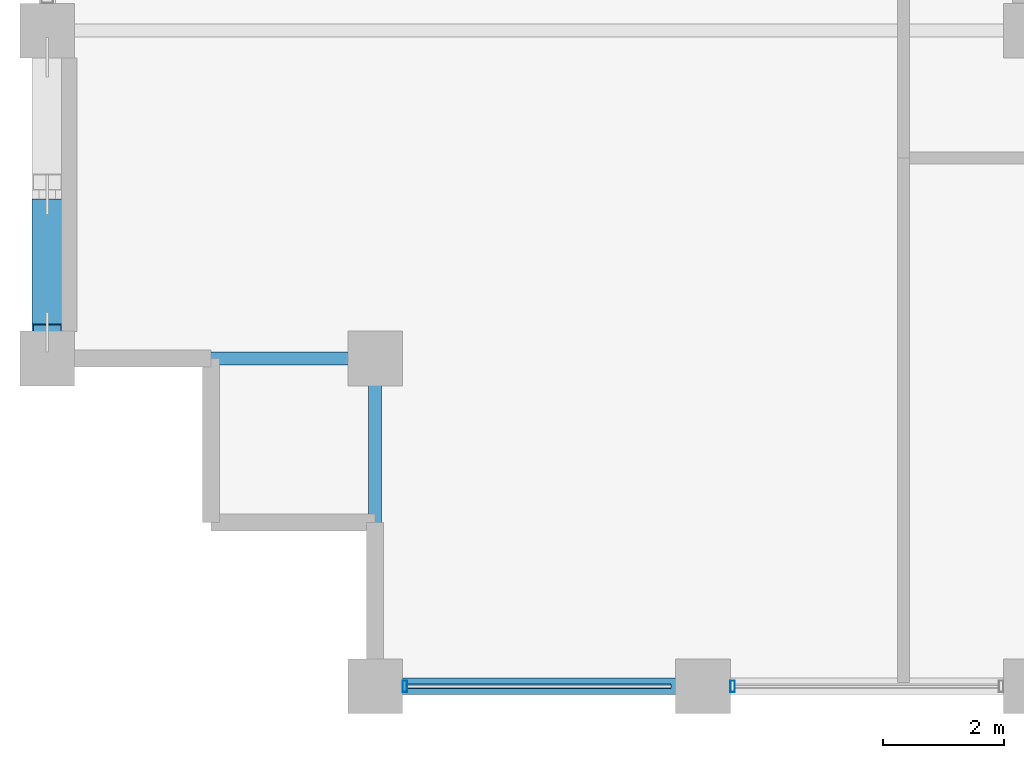
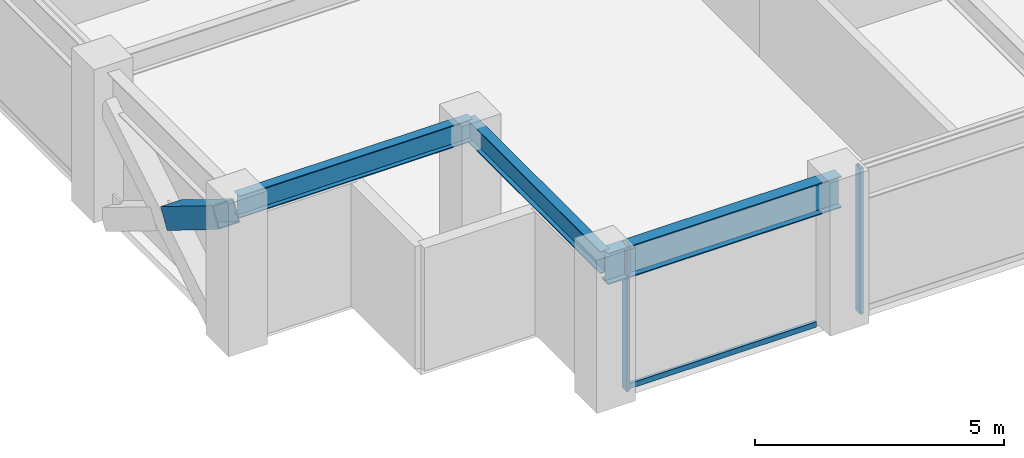
# One storey, part 2 of 32: 4 members, 3 beams, 1 element without a shape of its own.
"""IFC4 building model written with IfcOpenShell, lengths in metres."""

import ifcopenshell
import ifcopenshell.guid

model = None  # the IFC model being written
_history = None  # IfcOwnerHistory: only IFC2X3 demands one
_inside = {}  # id of a spatial element -> (the spatial element, [elements in it])
_under = {}  # id of a project, library or spatial element -> (it, [spatial elements below it])
_declared = {}  # id of a project -> (the project, [libraries it declares])
_typed = {}  # id of a type object -> (the type object, [elements of that type])
_made_of = {}  # id of a material, layer set ... -> (it, [elements and type objects made of it])


def new_model(schema):
    """Start an empty IFC model of exactly this schema.

    Asked for "IFC4X3", IfcOpenShell would pick the latest addendum, in which some entities
    have other attributes; the version numbers below select the first issue.
    IFC2X3 requires an IfcOwnerHistory on every rooted entity: one is made here for all.
    """
    global model, _history
    if schema == "IFC4X3":
        model = ifcopenshell.file(schema_version=(4, 3, 0, 0))
    else:
        model = ifcopenshell.file(schema=schema)
    _inside.clear()
    _under.clear()
    _declared.clear()
    _typed.clear()
    _made_of.clear()
    _history = None
    if model.schema == "IFC2X3":
        org = make("IfcOrganization", Name="unknown")
        user = make(
            "IfcPersonAndOrganization",
            ThePerson=make("IfcPerson", FamilyName="unknown"),
            TheOrganization=org,
        )
        app = make(
            "IfcApplication",
            ApplicationDeveloper=org,
            Version="unknown",
            ApplicationFullName="unknown",
            ApplicationIdentifier="unknown",
        )
        _history = make(
            "IfcOwnerHistory",
            OwningUser=user,
            OwningApplication=app,
            ChangeAction="ADDED",
            CreationDate=0,
        )
    return model


def make(cls, **values):
    """One entity of the class cls with the attributes given. An attribute that is None is left unset."""
    return model.create_entity(
        cls, **{name: value for name, value in values.items() if value is not None}
    )


def rooted(cls, **values):
    """An entity with a GlobalId (a new one), such as an element, a storey or a relation."""
    return make(cls, GlobalId=ifcopenshell.guid.new(), OwnerHistory=_history, **values)


def si_unit(unit_type, name, prefix=None):
    """IfcSIUnit, for example si_unit("LENGTHUNIT", "METRE", prefix="MILLI")."""
    return make("IfcSIUnit", UnitType=unit_type, Prefix=prefix, Name=name)


def assignment(units):
    """IfcUnitAssignment: the units of a project."""
    return None if units is None else make("IfcUnitAssignment", Units=units)


def point(xyz):
    """IfcCartesianPoint."""
    return None if xyz is None else make("IfcCartesianPoint", Coordinates=xyz)


def direction(xyz):
    """IfcDirection."""
    return None if xyz is None else make("IfcDirection", DirectionRatios=xyz)


def frame(location, z_axis=None, x_axis=None):
    """IfcAxis2Placement3D, a coordinate frame: its origin and axes. An axis left out is left unset."""
    return make(
        "IfcAxis2Placement3D",
        Location=point(location),
        Axis=direction(z_axis),
        RefDirection=direction(x_axis),
    )


def frame_2d(location, x_axis=None):
    """IfcAxis2Placement2D, a coordinate frame in the plane: its origin and x axis."""
    return make(
        "IfcAxis2Placement2D", Location=point(location), RefDirection=direction(x_axis)
    )


def origin():
    """The frame at (0, 0, 0) with its axes left unset."""
    return frame((0.0, 0.0, 0.0))


def origin_2d():
    """The frame at (0, 0) in the plane with its x axis left unset."""
    return frame_2d((0.0, 0.0))


def place(relative_to, where):
    """IfcLocalPlacement: puts the frame where relative to a parent placement (None: the world)."""
    return make(
        "IfcLocalPlacement", PlacementRelTo=relative_to, RelativePlacement=where
    )


def context(
    kind, dimensions, precision=None, world=None, true_north=None, identifier=None
):
    """IfcGeometricRepresentationContext, for example the 3D "Model" context."""
    return make(
        "IfcGeometricRepresentationContext",
        ContextIdentifier=identifier,
        ContextType=kind,
        CoordinateSpaceDimension=dimensions,
        Precision=precision,
        WorldCoordinateSystem=world,
        TrueNorth=true_north,
    )


def subcontext(parent, identifier, kind, view, scale=None):
    """IfcGeometricRepresentationSubContext, for example "Body" below "Model"."""
    return make(
        "IfcGeometricRepresentationSubContext",
        ContextIdentifier=identifier,
        ContextType=kind,
        ParentContext=parent,
        TargetScale=scale,
        TargetView=view,
    )


def project(units=None, contexts=None):
    """IfcProject with its units and contexts."""
    return rooted(
        "IfcProject",
        Name="project",
        RepresentationContexts=contexts,
        UnitsInContext=assignment(units),
    )


def spatial(cls, under=None, at=None, **own):
    """A site, building, storey or space (cls), placed at a placement, below another one or the project."""
    s = rooted(cls, ObjectPlacement=at, **own)
    if under is not None:
        _under.setdefault(under.id(), (under, []))[1].append(s)
    return s


def profile(cls, at=None, kind="AREA", **sizes):
    """A parametric profile (cls). Its sizes go by their IFC names, for example OverallWidth=200.0."""
    return make(cls, ProfileType=kind, Position=at, **sizes)


def hollow_rectangle(**sizes):
    """IfcRectangleHollowProfileDef."""
    return profile("IfcRectangleHollowProfileDef", **sizes)


def i_section(**sizes):
    """IfcIShapeProfileDef."""
    return profile("IfcIShapeProfileDef", **sizes)


def extrude(swept, where, along, depth):
    """IfcExtrudedAreaSolid: the profile swept, set in the frame where, extruded along a direction by depth."""
    return make(
        "IfcExtrudedAreaSolid",
        SweptArea=swept,
        Position=where,
        ExtrudedDirection=direction(along),
        Depth=depth,
    )


def shape(context_of_items, identifier, shape_type, items):
    """IfcShapeRepresentation: the items that make up one representation, for example the "Body"."""
    return make(
        "IfcShapeRepresentation",
        ContextOfItems=context_of_items,
        RepresentationIdentifier=identifier,
        RepresentationType=shape_type,
        Items=items,
    )


def material(Name=None, Category=None):
    """IfcMaterial."""
    return make("IfcMaterial", Name=Name, Category=Category)


def layer(
    of_material, thickness, ventilated=None, Name=None, Category=None, Priority=None
):
    """IfcMaterialLayer: one layer of a wall or slab, of a material (None: an air gap)."""
    return make(
        "IfcMaterialLayer",
        Material=of_material,
        LayerThickness=thickness,
        IsVentilated=ventilated,
        Name=Name,
        Category=Category,
        Priority=Priority,
    )


def layer_set(layers, Name=None):
    """IfcMaterialLayerSet."""
    return make("IfcMaterialLayerSet", MaterialLayers=layers, LayerSetName=Name)


def material_profile(
    of_material, cross_section, Name=None, Category=None, Priority=None
):
    """IfcMaterialProfile: a cross section and its material."""
    return make(
        "IfcMaterialProfile",
        Name=Name,
        Material=of_material,
        Profile=cross_section,
        Priority=Priority,
        Category=Category,
    )


def profile_set(profiles, Name=None, composite=None):
    """IfcMaterialProfileSet."""
    return make(
        "IfcMaterialProfileSet",
        Name=Name,
        MaterialProfiles=profiles,
        CompositeProfile=composite,
    )


def made_of(thing, what):
    """Note that an element or type object is made of a material, layer set ...; save() writes the relation."""
    if what is not None:
        _made_of.setdefault(what.id(), (what, []))[1].append(thing)
    return thing


def type_object(cls, material=None, **own):
    """A type object (cls), such as IfcWallType, which elements share."""
    return made_of(rooted(cls, **own), material)


def element(
    cls,
    number,
    at=None,
    inside=None,
    cuts=None,
    type_object=None,
    material=None,
    context=None,
    identifier="Body",
    shape_type=None,
    held_by="IfcProductDefinitionShape",
    body=None,
    shapes=None,
    **own,
):
    """One element of the class cls, such as IfcWall. Its Tag is "e" and its number.

    at: its placement. inside: the storey or other place that contains it. cuts: it is an
    opening in that element (IfcRelVoidsElement). A single representation is given by context,
    identifier, shape_type and body (its items); several are given by shapes. held_by: the class
    of the entity that holds the representations. save() writes the other relations.
    """
    e = rooted(cls, Tag="e%d" % number, ObjectPlacement=at, **own)
    if body is not None:
        shapes = [shape(context, identifier, shape_type, body)]
    if shapes is not None:
        e.Representation = make(held_by, Representations=shapes)
    if inside is not None:
        _inside.setdefault(inside.id(), (inside, []))[1].append(e)
    if cuts is not None:
        rooted(
            "IfcRelVoidsElement", RelatingBuildingElement=cuts, RelatedOpeningElement=e
        )
    if type_object is not None:
        _typed.setdefault(type_object.id(), (type_object, []))[1].append(e)
    return made_of(e, material)


def aggregate(whole, parts):
    """IfcRelAggregates: a whole, such as a stair, and the parts it consists of."""
    return rooted("IfcRelAggregates", RelatingObject=whole, RelatedObjects=parts)


def save(model, path):
    """Write the relations noted so far, then the file.

    IfcRelAggregates (storeys below a building ...), IfcRelContainedInSpatialStructure (elements
    in a storey), IfcRelDefinesByType, IfcRelAssociatesMaterial and IfcRelDeclares: one each for
    every whole, place, type object, material and project.
    """
    for whole, parts in _under.values():
        aggregate(whole, parts)
    for where, things in _inside.values():
        rooted(
            "IfcRelContainedInSpatialStructure",
            RelatedElements=things,
            RelatingStructure=where,
        )
    for kind, things in _typed.values():
        rooted("IfcRelDefinesByType", RelatedObjects=things, RelatingType=kind)
    for what, things in _made_of.values():
        rooted("IfcRelAssociatesMaterial", RelatedObjects=things, RelatingMaterial=what)
    for by, libraries in _declared.values():
        rooted("IfcRelDeclares", RelatingContext=by, RelatedDefinitions=libraries)
    model.write(path)


model = new_model("IFC4")

# Units and contexts
model_context = context("Model", 3, precision=1e-05, world=origin(), true_north=direction((0.0, 1.0)))
body_context = subcontext(model_context, "Body", "Model", "MODEL_VIEW")
ifc_project = project(units=[si_unit("LENGTHUNIT", "METRE"), si_unit("AREAUNIT", "SQUARE_METRE"), si_unit("VOLUMEUNIT", "CUBIC_METRE"), si_unit("PLANEANGLEUNIT", "RADIAN"), si_unit("MASSUNIT", "GRAM", prefix="KILO")], contexts=[model_context])

# Site, building, storey
site_placement = place(None, origin())
site = spatial("IfcSite", under=ifc_project, at=site_placement, CompositionType="ELEMENT")
building_placement = place(site_placement, origin())
building = spatial("IfcBuilding", under=site, at=building_placement, Name="Surkhivell Harbour Commons", CompositionType="ELEMENT")
storey_placement = place(building_placement, frame((0.0, 0.0, 197.25)))
storey = spatial("IfcBuildingStorey", under=building, at=storey_placement, Name="L51", CompositionType="ELEMENT", Elevation=197.25)

# Beams
ifc_material_1 = material(Name="Steel S355", Category="steel")
ifc_material_profile_1 = material_profile(ifc_material_1, i_section(OverallWidth=0.2119140625, OverallDepth=0.5439453125, WebThickness=0.0126953125, FlangeThickness=0.021240234375, at=origin_2d()), Name="UB533x210x122")
ifc_profile_set_1 = profile_set([ifc_material_profile_1], Name="Steel S355")
beam_type_1 = type_object("IfcBeamType", Name="BM-GRD-533A", PredefinedType="BEAM", material=ifc_profile_set_1)
beam_1_placement = place(storey_placement, frame((-27.0, -16.199951171875, 3.298095703125), z_axis=(1.0, 0.0, 0.0), x_axis=(0.0, 1.0, 0.0)))
element("IfcBeam", 1, at=beam_1_placement, inside=storey, type_object=beam_type_1, Name="L51 Floor Girder (-27.0,-16.2)", PredefinedType="BEAM", context=body_context, shape_type="SweptSolid", body=[
    extrude(i_section(OverallWidth=0.2119140625, OverallDepth=0.5439453125, WebThickness=0.0126953125, FlangeThickness=0.021240234375, at=origin_2d()), origin(), (0.0, 0.0, 1.0), 5.39990234375),
])
beam_2_placement = place(storey_placement, frame((-21.60009765625, -21.60009765625, 3.298095703125), z_axis=(0.0, 1.0, 0.0), x_axis=(-1.0, 0.0, 0.0)))
element("IfcBeam", 2, at=beam_2_placement, inside=storey, type_object=beam_type_1, Name="L51 Floor Girder (-21.6,-21.6)", PredefinedType="BEAM", context=body_context, shape_type="SweptSolid", body=[
    extrude(i_section(OverallWidth=0.2119140625, OverallDepth=0.5439453125, WebThickness=0.0126953125, FlangeThickness=0.021240234375, at=origin_2d()), origin(), (0.0, 0.0, 1.0), 5.400146484375),
])
ifc_material_profile_2 = material_profile(ifc_material_1, i_section(OverallWidth=0.26806640625, OverallDepth=0.77001953125, WebThickness=0.015625, FlangeThickness=0.025390625, at=origin_2d()), Name="UB762x267x197")
ifc_profile_set_2 = profile_set([ifc_material_profile_2], Name="Steel S355")
beam_type_2 = type_object("IfcBeamType", Name="BM-SPN-762", PredefinedType="SPANDREL", material=ifc_profile_set_2)
beam_3_placement = place(storey_placement, frame((-21.60009765625, -21.60009765625, 3.18505859375), z_axis=(1.0, 0.0, 0.0), x_axis=(0.0, 1.0, 0.0)))
element("IfcBeam", 3, at=beam_3_placement, inside=storey, type_object=beam_type_2, Name="L51 Tube Spandrel (-21.6,-21.6)", PredefinedType="SPANDREL", context=body_context, shape_type="SweptSolid", body=[
    extrude(i_section(OverallWidth=0.26806640625, OverallDepth=0.77001953125, WebThickness=0.015625, FlangeThickness=0.025390625, at=origin_2d()), origin(), (0.0, 0.0, 1.0), 5.400146484375),
])

# Curtain wall, members
ifc_material_2 = material(Name="Anodised pale-metal aluminium and insulated glazing", Category="aluminium")
ifc_layer = layer(ifc_material_2, 0.18994140625)
ifc_layer_set = layer_set([ifc_layer], Name="Anodised pale-metal aluminium and insulated glazing")
curtain_wall_type = type_object("IfcCurtainWallType", Name="CW-SYS-Z3", PredefinedType="NOTDEFINED", material=ifc_layer_set)
curtain_wall_placement = place(storey_placement, origin())
curtain_wall = element("IfcCurtainWall", 4, at=curtain_wall_placement, inside=storey, type_object=curtain_wall_type, Name="L51 Curtain Wall CW-L51-E00S1", PredefinedType="NOTDEFINED")
ifc_material_3 = material(Name="Anodised pale-metal aluminium alloy 6063-T6", Category="aluminium")
ifc_material_profile_3 = material_profile(ifc_material_3, hollow_rectangle(XDim=0.074951171875, YDim=0.18994140625, WallThickness=0.00390625, at=origin_2d()), Name="ALU-MULL-75x190")
ifc_profile_set_3 = profile_set([ifc_material_profile_3], Name="Anodised pale-metal aluminium alloy 6063-T6")
member_type_1 = type_object("IfcMemberType", Name="CWM-190", PredefinedType="MULLION", material=ifc_profile_set_3)
member_1_placement = place(storey_placement, frame((-21.110595703125, -21.60009765625, 0.0), z_axis=(0.0, 0.0, 1.0), x_axis=(1.0, 0.0, 0.0)))
member_1 = element("IfcMember", 5, at=member_1_placement, type_object=member_type_1, Name="CW-Z3 mullion 1", PredefinedType="MULLION", context=body_context, shape_type="SweptSolid", body=[
    extrude(hollow_rectangle(XDim=0.074951171875, YDim=0.18994140625, WallThickness=0.00390625, at=origin_2d()), origin(), (0.0, 0.0, 1.0), 3.570068359375),
])
member_2_placement = place(storey_placement, frame((-15.71044921875, -21.60009765625, 0.0), z_axis=(0.0, 0.0, 1.0), x_axis=(1.0, 0.0, 0.0)))
member_2 = element("IfcMember", 6, at=member_2_placement, type_object=member_type_1, Name="CW-Z3 mullion 2", PredefinedType="MULLION", context=body_context, shape_type="SweptSolid", body=[
    extrude(hollow_rectangle(XDim=0.074951171875, YDim=0.18994140625, WallThickness=0.00390625, at=origin_2d()), origin(), (0.0, 0.0, 1.0), 3.570068359375),
])
ifc_material_4 = material(Name="Champagne anodised aluminium alloy 6063-T6", Category="aluminium")
ifc_material_profile_4 = material_profile(ifc_material_4, hollow_rectangle(XDim=0.070068359375, YDim=0.1298828125, WallThickness=0.00341796875, at=origin_2d()), Name="ALU-TRAN-70x130")
ifc_profile_set_4 = profile_set([ifc_material_profile_4], Name="Champagne anodised aluminium alloy 6063-T6")
member_type_2 = type_object("IfcMemberType", Name="CWT-130", PredefinedType="USERDEFINED", material=ifc_profile_set_4)
member_3_placement = place(storey_placement, frame((-21.072998046875, -21.60009765625, 0.06494140625), z_axis=(1.0, 0.0, 0.0), x_axis=(0.0, 1.0, 0.0)))
member_3 = element("IfcMember", 7, at=member_3_placement, type_object=member_type_2, Name="CW-Z3 transom 1.1", ObjectType="TRANSOM", PredefinedType="USERDEFINED", context=body_context, shape_type="SweptSolid", body=[
    extrude(hollow_rectangle(XDim=0.070068359375, YDim=0.1298828125, WallThickness=0.00341796875, at=origin_2d()), origin(), (0.0, 0.0, 1.0), 4.345947265625),
])
aggregate(curtain_wall, [member_1, member_3, member_2])

# Member
ifc_material_5 = material(Name="Steel S460", Category="steel")
ifc_material_profile_5 = material_profile(ifc_material_5, hollow_rectangle(XDim=0.5, YDim=0.5, WallThickness=0.02490234375, at=origin_2d()), Name="SHS500x500x25")
ifc_profile_set_5 = profile_set([ifc_material_profile_5], Name="Steel S460")
member_type_3 = type_object("IfcMemberType", Name="MEM-BRC-SHS500", PredefinedType="BRACE", material=ifc_profile_set_5)
member_4_placement = place(storey_placement, frame((-27.0, -13.7041015625, 1.531982421875), z_axis=(0.0, -0.850958361341, 0.525233155146), x_axis=(1.0, 0.0, 0.0)))
element("IfcMember", 8, at=member_4_placement, inside=storey, type_object=member_type_3, Name="L51 Perimeter Mega-Brace MB- 12", PredefinedType="BRACE", context=body_context, shape_type="SweptSolid", body=[
    extrude(hollow_rectangle(XDim=0.5, YDim=0.5, WallThickness=0.02490234375, at=origin_2d()), origin(), (0.0, 0.0, 1.0), 2.421630859375),
])

save(model, "model.ifc")
